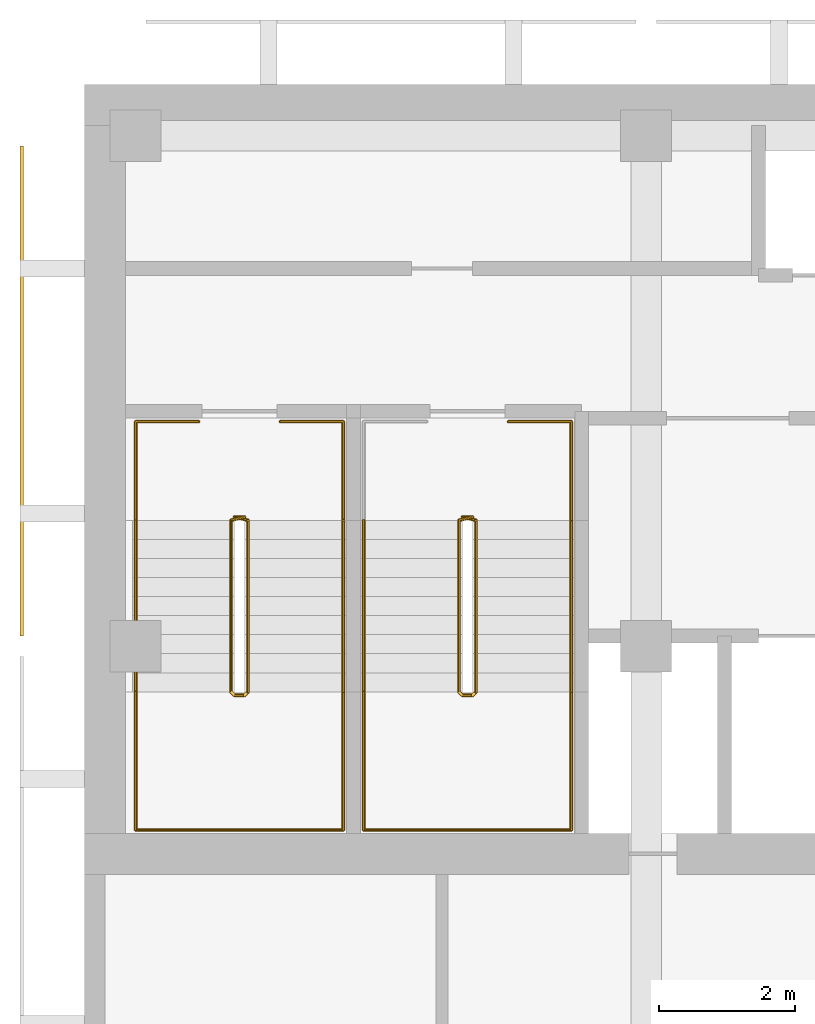
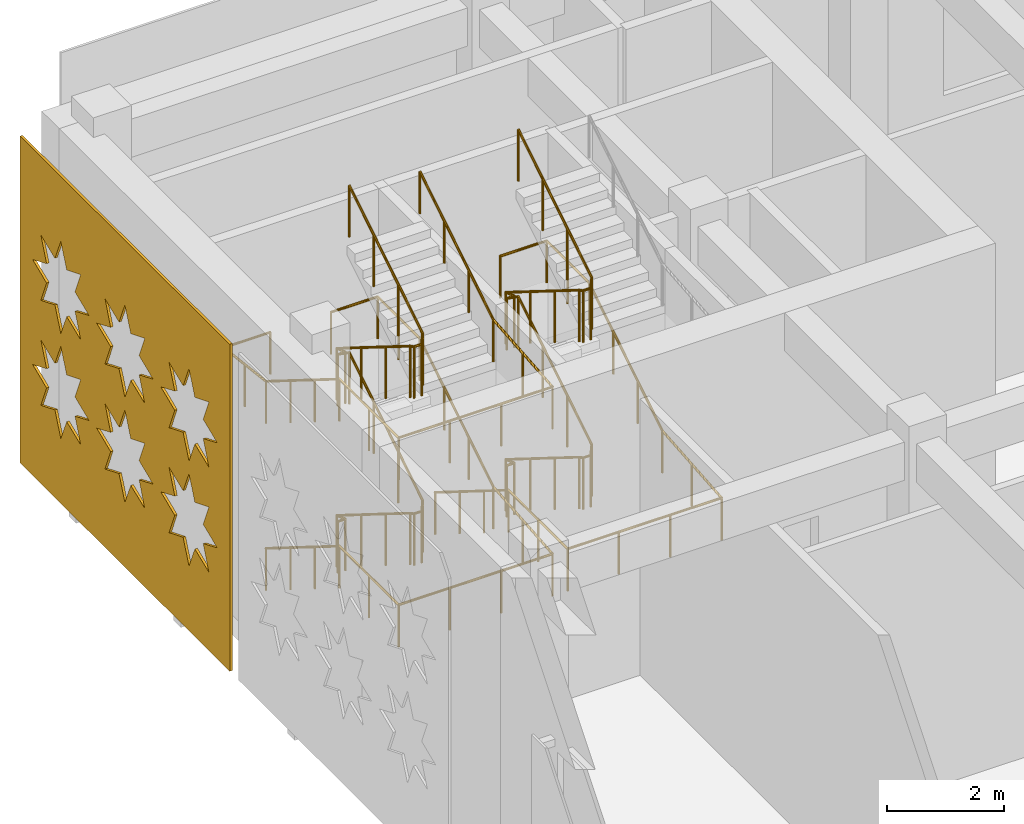
# One storey, part 37 of 42: 5 railings, 1 covering.
"""IFC4 building model written with IfcOpenShell, lengths in metres."""

from ifc_helpers import new_model, si_unit, direction, frame, origin, origin_2d, place, context, subcontext, project, spatial, polyline, circle, outline, extrude, material, layer, layer_set, type_object, element, save


model = new_model("IFC4")

# Units and contexts
model_context = context("Model", 3, precision=1e-05, world=origin(), true_north=direction((0.0, 1.0)))
body_context = subcontext(model_context, "Body", "Model", "MODEL_VIEW")
ifc_project = project(units=[si_unit("LENGTHUNIT", "METRE"), si_unit("AREAUNIT", "SQUARE_METRE"), si_unit("VOLUMEUNIT", "CUBIC_METRE"), si_unit("PLANEANGLEUNIT", "RADIAN"), si_unit("MASSUNIT", "GRAM", prefix="KILO")], contexts=[model_context])

# Site, building, storey
site_placement = place(None, origin())
site = spatial("IfcSite", under=ifc_project, at=site_placement, CompositionType="ELEMENT")
building_placement = place(site_placement, origin())
building = spatial("IfcBuilding", under=site, at=building_placement, Name="Tessera Arch", CompositionType="ELEMENT")
storey_placement = place(building_placement, frame((0.0, 0.0, 14.0)))
storey = spatial("IfcBuildingStorey", under=building, at=storey_placement, Name="L02", CompositionType="ELEMENT", Elevation=14.0)

# Covering
ifc_material_1 = material(Name="Anodised aluminium pale metal", Category="aluminium")
ifc_layer = layer(ifc_material_1, 0.050048828125)
ifc_layer_set = layer_set([ifc_layer], Name="Museum lattice skin panel")
covering_type = type_object("IfcCoveringType", Name="Museum lattice skin panel", PredefinedType="CLADDING", material=ifc_layer_set)
covering_placement = place(storey_placement, frame((-33.449951171875, 58.050048828125, 6.949951171875), z_axis=(1.0, 0.0, 0.0), x_axis=(0.0, -1.0, 0.0)))
element("IfcCovering", 1, at=covering_placement, inside=storey, type_object=covering_type, Name="Museum lattice skin L02 6-2", PredefinedType="CLADDING", context=body_context, shape_type="SweptSolid", body=[
    extrude(outline(polyline([(0.0, 0.0), (7.199951171875, 0.0), (7.199951171875, 6.849853515625), (0.0, 6.849853515625), (0.0, 0.0)]), holes=[polyline([(2.3681640625, 4.52490234375), (1.887939453125, 4.322998046875), (2.083984375, 3.841064453125), (1.60205078125, 4.036865234375), (1.400146484375, 3.556884765625), (1.197998046875, 4.036865234375), (0.716064453125, 3.841064453125), (0.912109375, 4.322998046875), (0.43212890625, 4.52490234375), (0.912109375, 4.72705078125), (0.716064453125, 5.208984375), (1.197998046875, 5.012939453125), (1.400146484375, 5.492919921875), (1.60205078125, 5.012939453125), (2.083984375, 5.208984375), (1.887939453125, 4.72705078125), (2.3681640625, 4.52490234375)]), polyline([(2.3681640625, 2.324951171875), (1.887939453125, 2.123046875), (2.083984375, 1.640869140625), (1.60205078125, 1.8369140625), (1.400146484375, 1.35693359375), (1.197998046875, 1.8369140625), (0.716064453125, 1.640869140625), (0.912109375, 2.123046875), (0.43212890625, 2.324951171875), (0.912109375, 2.52685546875), (0.716064453125, 3.009033203125), (1.197998046875, 2.81298828125), (1.400146484375, 3.29296875), (1.60205078125, 2.81298828125), (2.083984375, 3.009033203125), (1.887939453125, 2.52685546875), (2.3681640625, 2.324951171875)]), polyline([(4.568115234375, 4.52490234375), (4.088134765625, 4.322998046875), (4.283935546875, 3.841064453125), (3.802001953125, 4.036865234375), (3.60009765625, 3.556884765625), (3.39794921875, 4.036865234375), (2.916015625, 3.841064453125), (3.112060546875, 4.322998046875), (2.632080078125, 4.52490234375), (3.112060546875, 4.72705078125), (2.916015625, 5.208984375), (3.39794921875, 5.012939453125), (3.60009765625, 5.492919921875), (3.802001953125, 5.012939453125), (4.283935546875, 5.208984375), (4.088134765625, 4.72705078125), (4.568115234375, 4.52490234375)]), polyline([(4.568115234375, 2.324951171875), (4.088134765625, 2.123046875), (4.283935546875, 1.640869140625), (3.802001953125, 1.8369140625), (3.60009765625, 1.35693359375), (3.39794921875, 1.8369140625), (2.916015625, 1.640869140625), (3.112060546875, 2.123046875), (2.632080078125, 2.324951171875), (3.112060546875, 2.52685546875), (2.916015625, 3.009033203125), (3.39794921875, 2.81298828125), (3.60009765625, 3.29296875), (3.802001953125, 2.81298828125), (4.283935546875, 3.009033203125), (4.088134765625, 2.52685546875), (4.568115234375, 2.324951171875)]), polyline([(6.76806640625, 4.52490234375), (6.2880859375, 4.322998046875), (6.484130859375, 3.841064453125), (6.001953125, 4.036865234375), (5.800048828125, 3.556884765625), (5.59814453125, 4.036865234375), (5.115966796875, 3.841064453125), (5.31201171875, 4.322998046875), (4.83203125, 4.52490234375), (5.31201171875, 4.72705078125), (5.115966796875, 5.208984375), (5.59814453125, 5.012939453125), (5.800048828125, 5.492919921875), (6.001953125, 5.012939453125), (6.484130859375, 5.208984375), (6.2880859375, 4.72705078125), (6.76806640625, 4.52490234375)]), polyline([(6.76806640625, 2.324951171875), (6.2880859375, 2.123046875), (6.484130859375, 1.640869140625), (6.001953125, 1.8369140625), (5.800048828125, 1.35693359375), (5.59814453125, 1.8369140625), (5.115966796875, 1.640869140625), (5.31201171875, 2.123046875), (4.83203125, 2.324951171875), (5.31201171875, 2.52685546875), (5.115966796875, 3.009033203125), (5.59814453125, 2.81298828125), (5.800048828125, 3.29296875), (6.001953125, 2.81298828125), (6.484130859375, 3.009033203125), (6.2880859375, 2.52685546875), (6.76806640625, 2.324951171875)])]), origin(), (0.0, 0.0, -1.0), 0.050048828125),
])

# Railings
ifc_material_2 = material(Name="Painted steel balustrade", Category="steel")
railing_type_1 = type_object("IfcRailingType", Name="Stair guard 1100", PredefinedType="GUARDRAIL", material=ifc_material_2)
railing_1_placement = place(storey_placement, frame((-30.35009765625, 52.60009765625, 0.0)))
element("IfcRailing", 2, at=railing_1_placement, inside=storey, type_object=railing_type_1, Name="L02 M1a stair guard 1", PredefinedType="GUARDRAIL", context=body_context, shape_type="SweptSolid", body=[
    extrude(circle(Radius=0.02392578125, at=origin_2d()), frame((-0.00390625, 0.0, 1.076171875), z_axis=(1.0, 0.0, 0.0), x_axis=(0.0, 1.0, 0.0)), (0.0, 0.0, 1.0), 0.158203125),
    extrude(circle(Radius=0.02392578125, at=origin_2d()), frame((0.153076171875, 0.000732421875, 1.073486328125), z_axis=(-0.739407315901, -0.185077533284, 0.647319957877), x_axis=(0.242814311512, -0.970072785993, 0.0)), (0.0, 0.0, 1.0), 0.2783203125),
    extrude(circle(Radius=0.02392578125, at=origin_2d()), frame((-0.0498046875, -0.046630859375, 1.2490234375), z_axis=(0.0, -0.848007534815, 0.529984170421), x_axis=(1.0, 0.0, 0.0)), (0.0, 0.0, 1.0), 2.979736328125),
    extrude(circle(Radius=0.02392578125, at=origin_2d()), frame((-0.052734375, -2.567138671875, 2.826171875), z_axis=(0.705375805398, -0.708833529934, 0.0), x_axis=(0.708833529934, 0.705375805398, 0.0)), (0.0, 0.0, 1.0), 0.07861328125),
    extrude(circle(Radius=0.02392578125, at=origin_2d()), frame((-0.00390625, -2.6201171875, 2.826171875), z_axis=(1.0, 0.0, 0.0), x_axis=(0.0, 1.0, 0.0)), (0.0, 0.0, 1.0), 0.158203125),
    extrude(circle(Radius=0.02392578125, at=origin_2d()), frame((0.149169921875, -2.62109375, 2.822265625), z_axis=(0.265065253269, 0.265065253269, 0.927081885822), x_axis=(-0.707106781187, 0.707106781187, 0.0)), (0.0, 0.0, 1.0), 0.19677734375),
    extrude(circle(Radius=0.02392578125, at=origin_2d()), frame((0.2001953125, -2.573486328125, 2.9990234375), z_axis=(0.0, 0.848007534815, 0.529984170421), x_axis=(-1.0, 0.0, 0.0)), (0.0, 0.0, 1.0), 2.979736328125),
    extrude(circle(Radius=0.02392578125, at=origin_2d()), frame((0.2041015625, -0.051025390625, 4.576171875), z_axis=(-0.970142500145, 0.242535625036, 0.0), x_axis=(-0.242535625036, -0.970142500145, 0.0)), (0.0, 0.0, 1.0), 0.21435546875),
    extrude(circle(Radius=0.02392578125, at=origin_2d()), frame((-0.00390625, 0.0, 4.576171875), z_axis=(1.0, 0.0, 0.0), x_axis=(0.0, 1.0, 0.0)), (0.0, 0.0, 1.0), 0.158203125),
    extrude(circle(Radius=0.02392578125, at=origin_2d()), frame((0.153076171875, 0.000732421875, 4.573486328125), z_axis=(-0.739407315901, -0.185077533284, 0.647319957877), x_axis=(0.242814311512, -0.970072785993, 0.0)), (0.0, 0.0, 1.0), 0.2783203125),
    extrude(circle(Radius=0.02392578125, at=origin_2d()), frame((-0.0498046875, -0.046630859375, 4.7490234375), z_axis=(0.0, -0.848007534815, 0.529984170421), x_axis=(1.0, 0.0, 0.0)), (0.0, 0.0, 1.0), 2.979736328125),
    extrude(circle(Radius=0.02392578125, at=origin_2d()), frame((-0.052734375, -2.567138671875, 6.326171875), z_axis=(0.705375805398, -0.708833529934, 0.0), x_axis=(0.708833529934, 0.705375805398, 0.0)), (0.0, 0.0, 1.0), 0.07861328125),
    extrude(circle(Radius=0.02392578125, at=origin_2d()), frame((-0.00390625, -2.6201171875, 6.326171875), z_axis=(1.0, 0.0, 0.0), x_axis=(0.0, 1.0, 0.0)), (0.0, 0.0, 1.0), 0.158203125),
    extrude(circle(Radius=0.02392578125, at=origin_2d()), frame((0.149169921875, -2.62109375, 6.322265625), z_axis=(0.265065253269, 0.265065253269, 0.927081885822), x_axis=(-0.707106781187, 0.707106781187, 0.0)), (0.0, 0.0, 1.0), 0.19677734375),
    extrude(circle(Radius=0.02392578125, at=origin_2d()), frame((0.2001953125, -2.573486328125, 6.4990234375), z_axis=(0.0, 0.848007534815, 0.529984170421), x_axis=(-1.0, 0.0, 0.0)), (0.0, 0.0, 1.0), 2.979736328125),
    extrude(circle(Radius=0.02099609375, at=origin_2d()), origin(), (0.0, 0.0, 1.0), 1.06396484375),
    extrude(circle(Radius=0.02099609375, at=origin_2d()), frame((0.150146484375, 0.0, 0.0)), (0.0, 0.0, 1.0), 1.06396484375),
    extrude(circle(Radius=0.02099609375, at=origin_2d()), frame((-0.0498046875, -0.050048828125, 0.175048828125)), (0.0, 0.0, 1.0), 1.06396484375),
    extrude(circle(Radius=0.02099609375, at=origin_2d()), frame((-0.0498046875, -0.89013671875, 0.699951171875)), (0.0, 0.0, 1.0), 1.06396484375),
    extrude(circle(Radius=0.02099609375, at=origin_2d()), frame((-0.0498046875, -1.72998046875, 1.22509765625)), (0.0, 0.0, 1.0), 1.06396484375),
    extrude(circle(Radius=0.02099609375, at=origin_2d()), frame((-0.0498046875, -2.570068359375, 1.75)), (0.0, 0.0, 1.0), 1.06396484375),
    extrude(circle(Radius=0.02099609375, at=origin_2d()), frame((0.0, -2.6201171875, 1.75)), (0.0, 0.0, 1.0), 1.06396484375),
    extrude(circle(Radius=0.02099609375, at=origin_2d()), frame((0.150146484375, -2.6201171875, 1.75)), (0.0, 0.0, 1.0), 1.06396484375),
    extrude(circle(Radius=0.02099609375, at=origin_2d()), frame((0.2001953125, -2.570068359375, 1.925048828125)), (0.0, 0.0, 1.0), 1.06396484375),
    extrude(circle(Radius=0.02099609375, at=origin_2d()), frame((0.2001953125, -1.72998046875, 2.449951171875)), (0.0, 0.0, 1.0), 1.06396484375),
    extrude(circle(Radius=0.02099609375, at=origin_2d()), frame((0.2001953125, -0.89013671875, 2.97509765625)), (0.0, 0.0, 1.0), 1.06396484375),
    extrude(circle(Radius=0.02099609375, at=origin_2d()), frame((0.2001953125, -0.050048828125, 3.5)), (0.0, 0.0, 1.0), 1.06396484375),
    extrude(circle(Radius=0.02099609375, at=origin_2d()), frame((0.0, 0.0, 3.5)), (0.0, 0.0, 1.0), 1.06396484375),
    extrude(circle(Radius=0.02099609375, at=origin_2d()), frame((0.150146484375, 0.0, 3.5)), (0.0, 0.0, 1.0), 1.06396484375),
    extrude(circle(Radius=0.02099609375, at=origin_2d()), frame((-0.0498046875, -0.050048828125, 3.675048828125)), (0.0, 0.0, 1.0), 1.06396484375),
    extrude(circle(Radius=0.02099609375, at=origin_2d()), frame((-0.0498046875, -0.89013671875, 4.199951171875)), (0.0, 0.0, 1.0), 1.06396484375),
    extrude(circle(Radius=0.02099609375, at=origin_2d()), frame((-0.0498046875, -1.72998046875, 4.72509765625)), (0.0, 0.0, 1.0), 1.06396484375),
    extrude(circle(Radius=0.02099609375, at=origin_2d()), frame((-0.0498046875, -2.570068359375, 5.25)), (0.0, 0.0, 1.0), 1.06396484375),
    extrude(circle(Radius=0.02099609375, at=origin_2d()), frame((0.0, -2.6201171875, 5.25)), (0.0, 0.0, 1.0), 1.06396484375),
    extrude(circle(Radius=0.02099609375, at=origin_2d()), frame((0.150146484375, -2.6201171875, 5.25)), (0.0, 0.0, 1.0), 1.06396484375),
    extrude(circle(Radius=0.02099609375, at=origin_2d()), frame((0.2001953125, -2.570068359375, 5.425048828125)), (0.0, 0.0, 1.0), 1.06396484375),
    extrude(circle(Radius=0.02099609375, at=origin_2d()), frame((0.2001953125, -1.72998046875, 5.949951171875)), (0.0, 0.0, 1.0), 1.06396484375),
    extrude(circle(Radius=0.02099609375, at=origin_2d()), frame((0.2001953125, -0.89013671875, 6.47509765625)), (0.0, 0.0, 1.0), 1.06396484375),
    extrude(circle(Radius=0.02099609375, at=origin_2d()), frame((0.2001953125, -0.050048828125, 7.0)), (0.0, 0.0, 1.0), 1.06396484375),
])
railing_2_placement = place(storey_placement, frame((-27.0, 52.60009765625, 0.0)))
element("IfcRailing", 3, at=railing_2_placement, inside=storey, type_object=railing_type_1, Name="L02 M1b stair guard 1", PredefinedType="GUARDRAIL", context=body_context, shape_type="SweptSolid", body=[
    extrude(circle(Radius=0.02392578125, at=origin_2d()), frame((-0.00390625, 0.0, 1.076171875), z_axis=(1.0, 0.0, 0.0), x_axis=(0.0, 1.0, 0.0)), (0.0, 0.0, 1.0), 0.157958984375),
    extrude(circle(Radius=0.02392578125, at=origin_2d()), frame((0.15283203125, 0.000732421875, 1.073486328125), z_axis=(-0.739407315901, -0.185077533284, 0.647319957877), x_axis=(0.242814311512, -0.970072785993, 0.0)), (0.0, 0.0, 1.0), 0.2783203125),
    extrude(circle(Radius=0.02392578125, at=origin_2d()), frame((-0.050048828125, -0.046630859375, 1.2490234375), z_axis=(0.0, -0.848007534815, 0.529984170421), x_axis=(1.0, 0.0, 0.0)), (0.0, 0.0, 1.0), 2.979736328125),
    extrude(circle(Radius=0.02392578125, at=origin_2d()), frame((-0.052978515625, -2.567138671875, 2.826171875), z_axis=(0.707106781187, -0.707106781187, 0.0), x_axis=(0.707106781187, 0.707106781187, 0.0)), (0.0, 0.0, 1.0), 0.078857421875),
    extrude(circle(Radius=0.02392578125, at=origin_2d()), frame((-0.00390625, -2.6201171875, 2.826171875), z_axis=(1.0, 0.0, 0.0), x_axis=(0.0, 1.0, 0.0)), (0.0, 0.0, 1.0), 0.157958984375),
    extrude(circle(Radius=0.02392578125, at=origin_2d()), frame((0.14892578125, -2.62109375, 2.822265625), z_axis=(0.265065253269, 0.265065253269, 0.927081885822), x_axis=(-0.707106781187, 0.707106781187, 0.0)), (0.0, 0.0, 1.0), 0.19677734375),
    extrude(circle(Radius=0.02392578125, at=origin_2d()), frame((0.199951171875, -2.573486328125, 2.9990234375), z_axis=(0.0, 0.848007534815, 0.529984170421), x_axis=(-1.0, 0.0, 0.0)), (0.0, 0.0, 1.0), 2.979736328125),
    extrude(circle(Radius=0.02392578125, at=origin_2d()), frame((0.203857421875, -0.051025390625, 4.576171875), z_axis=(-0.970072785993, 0.242814311512, 0.0), x_axis=(-0.242814311512, -0.970072785993, 0.0)), (0.0, 0.0, 1.0), 0.214111328125),
    extrude(circle(Radius=0.02392578125, at=origin_2d()), frame((-0.00390625, 0.0, 4.576171875), z_axis=(1.0, 0.0, 0.0), x_axis=(0.0, 1.0, 0.0)), (0.0, 0.0, 1.0), 0.157958984375),
    extrude(circle(Radius=0.02392578125, at=origin_2d()), frame((0.15283203125, 0.000732421875, 4.573486328125), z_axis=(-0.739407315901, -0.185077533284, 0.647319957877), x_axis=(0.242814311512, -0.970072785993, 0.0)), (0.0, 0.0, 1.0), 0.2783203125),
    extrude(circle(Radius=0.02392578125, at=origin_2d()), frame((-0.050048828125, -0.046630859375, 4.7490234375), z_axis=(0.0, -0.848007534815, 0.529984170421), x_axis=(1.0, 0.0, 0.0)), (0.0, 0.0, 1.0), 2.979736328125),
    extrude(circle(Radius=0.02392578125, at=origin_2d()), frame((-0.052978515625, -2.567138671875, 6.326171875), z_axis=(0.707106781187, -0.707106781187, 0.0), x_axis=(0.707106781187, 0.707106781187, 0.0)), (0.0, 0.0, 1.0), 0.078857421875),
    extrude(circle(Radius=0.02392578125, at=origin_2d()), frame((-0.00390625, -2.6201171875, 6.326171875), z_axis=(1.0, 0.0, 0.0), x_axis=(0.0, 1.0, 0.0)), (0.0, 0.0, 1.0), 0.157958984375),
    extrude(circle(Radius=0.02392578125, at=origin_2d()), frame((0.14892578125, -2.62109375, 6.322265625), z_axis=(0.265065253269, 0.265065253269, 0.927081885822), x_axis=(-0.707106781187, 0.707106781187, 0.0)), (0.0, 0.0, 1.0), 0.19677734375),
    extrude(circle(Radius=0.02392578125, at=origin_2d()), frame((0.199951171875, -2.573486328125, 6.4990234375), z_axis=(0.0, 0.848007534815, 0.529984170421), x_axis=(-1.0, 0.0, 0.0)), (0.0, 0.0, 1.0), 2.979736328125),
    extrude(circle(Radius=0.02099609375, at=origin_2d()), origin(), (0.0, 0.0, 1.0), 1.06396484375),
    extrude(circle(Radius=0.02099609375, at=origin_2d()), frame((0.14990234375, 0.0, 0.0)), (0.0, 0.0, 1.0), 1.06396484375),
    extrude(circle(Radius=0.02099609375, at=origin_2d()), frame((-0.050048828125, -0.050048828125, 0.175048828125)), (0.0, 0.0, 1.0), 1.06396484375),
    extrude(circle(Radius=0.02099609375, at=origin_2d()), frame((-0.050048828125, -0.89013671875, 0.699951171875)), (0.0, 0.0, 1.0), 1.06396484375),
    extrude(circle(Radius=0.02099609375, at=origin_2d()), frame((-0.050048828125, -1.72998046875, 1.22509765625)), (0.0, 0.0, 1.0), 1.06396484375),
    extrude(circle(Radius=0.02099609375, at=origin_2d()), frame((-0.050048828125, -2.570068359375, 1.75)), (0.0, 0.0, 1.0), 1.06396484375),
    extrude(circle(Radius=0.02099609375, at=origin_2d()), frame((0.0, -2.6201171875, 1.75)), (0.0, 0.0, 1.0), 1.06396484375),
    extrude(circle(Radius=0.02099609375, at=origin_2d()), frame((0.14990234375, -2.6201171875, 1.75)), (0.0, 0.0, 1.0), 1.06396484375),
    extrude(circle(Radius=0.02099609375, at=origin_2d()), frame((0.199951171875, -2.570068359375, 1.925048828125)), (0.0, 0.0, 1.0), 1.06396484375),
    extrude(circle(Radius=0.02099609375, at=origin_2d()), frame((0.199951171875, -1.72998046875, 2.449951171875)), (0.0, 0.0, 1.0), 1.06396484375),
    extrude(circle(Radius=0.02099609375, at=origin_2d()), frame((0.199951171875, -0.89013671875, 2.97509765625)), (0.0, 0.0, 1.0), 1.06396484375),
    extrude(circle(Radius=0.02099609375, at=origin_2d()), frame((0.199951171875, -0.050048828125, 3.5)), (0.0, 0.0, 1.0), 1.06396484375),
    extrude(circle(Radius=0.02099609375, at=origin_2d()), frame((0.0, 0.0, 3.5)), (0.0, 0.0, 1.0), 1.06396484375),
    extrude(circle(Radius=0.02099609375, at=origin_2d()), frame((0.14990234375, 0.0, 3.5)), (0.0, 0.0, 1.0), 1.06396484375),
    extrude(circle(Radius=0.02099609375, at=origin_2d()), frame((-0.050048828125, -0.050048828125, 3.675048828125)), (0.0, 0.0, 1.0), 1.06396484375),
    extrude(circle(Radius=0.02099609375, at=origin_2d()), frame((-0.050048828125, -0.89013671875, 4.199951171875)), (0.0, 0.0, 1.0), 1.06396484375),
    extrude(circle(Radius=0.02099609375, at=origin_2d()), frame((-0.050048828125, -1.72998046875, 4.72509765625)), (0.0, 0.0, 1.0), 1.06396484375),
    extrude(circle(Radius=0.02099609375, at=origin_2d()), frame((-0.050048828125, -2.570068359375, 5.25)), (0.0, 0.0, 1.0), 1.06396484375),
    extrude(circle(Radius=0.02099609375, at=origin_2d()), frame((0.0, -2.6201171875, 5.25)), (0.0, 0.0, 1.0), 1.06396484375),
    extrude(circle(Radius=0.02099609375, at=origin_2d()), frame((0.14990234375, -2.6201171875, 5.25)), (0.0, 0.0, 1.0), 1.06396484375),
    extrude(circle(Radius=0.02099609375, at=origin_2d()), frame((0.199951171875, -2.570068359375, 5.425048828125)), (0.0, 0.0, 1.0), 1.06396484375),
    extrude(circle(Radius=0.02099609375, at=origin_2d()), frame((0.199951171875, -1.72998046875, 5.949951171875)), (0.0, 0.0, 1.0), 1.06396484375),
    extrude(circle(Radius=0.02099609375, at=origin_2d()), frame((0.199951171875, -0.89013671875, 6.47509765625)), (0.0, 0.0, 1.0), 1.06396484375),
    extrude(circle(Radius=0.02099609375, at=origin_2d()), frame((0.199951171875, -0.050048828125, 7.0)), (0.0, 0.0, 1.0), 1.06396484375),
])
ifc_material_3 = material(Name="Painted steel handrail", Category="steel")
railing_type_2 = type_object("IfcRailingType", Name="Stair handrail 900", PredefinedType="HANDRAIL", material=ifc_material_3)
railing_3_placement = place(storey_placement, frame((-31.800048828125, 52.550048828125, 0.175048828125)))
element("IfcRailing", 4, at=railing_3_placement, inside=storey, type_object=railing_type_2, Name="L02 M1a stair handrail", PredefinedType="HANDRAIL", context=body_context, shape_type="SweptSolid", body=[
    extrude(circle(Radius=0.02392578125, at=origin_2d()), frame((0.0, 0.00341796875, 0.873779296875), z_axis=(0.0, -0.848007534815, 0.529984170421), x_axis=(1.0, 0.0, 0.0)), (0.0, 0.0, 1.0), 2.979736328125),
    extrude(circle(Radius=0.02392578125, at=origin_2d()), frame((0.0, -2.51611328125, 2.45068359375), z_axis=(0.0, -1.0, 0.0), x_axis=(1.0, 0.0, 0.0)), (0.0, 0.0, 1.0), 2.0380859375),
    extrude(circle(Radius=0.02392578125, at=origin_2d()), frame((-0.00390625, -4.550048828125, 2.45068359375), z_axis=(1.0, 0.0, 0.0), x_axis=(0.0, 1.0, 0.0)), (0.0, 0.0, 1.0), 3.05810546875),
    extrude(circle(Radius=0.02392578125, at=origin_2d()), frame((3.050048828125, -4.553955078125, 2.450439453125), z_axis=(0.0, 0.996302824165, 0.085910898969), x_axis=(-1.0, 0.0, 0.0)), (0.0, 0.0, 1.0), 2.045654296875),
    extrude(circle(Radius=0.02392578125, at=origin_2d()), frame((3.050048828125, -2.5234375, 2.623779296875), z_axis=(0.0, 0.848007534815, 0.529984170421), x_axis=(-1.0, 0.0, 0.0)), (0.0, 0.0, 1.0), 2.979736328125),
    extrude(circle(Radius=0.02392578125, at=origin_2d()), frame((3.050048828125, -0.00390625, 4.20068359375), z_axis=(0.0, 1.0, 0.0), x_axis=(-1.0, 0.0, 0.0)), (0.0, 0.0, 1.0), 1.4580078125),
    extrude(circle(Radius=0.02392578125, at=origin_2d()), frame((3.053955078125, 1.449951171875, 4.20068359375), z_axis=(-1.0, 0.0, 0.0), x_axis=(0.0, -1.0, 0.0)), (0.0, 0.0, 1.0), 0.93310546875),
    extrude(circle(Radius=0.02099609375, at=origin_2d()), origin(), (0.0, 0.0, 1.0), 0.86376953125),
    extrude(circle(Radius=0.02099609375, at=origin_2d()), frame((0.0, -0.840087890625, 0.52490234375)), (0.0, 0.0, 1.0), 0.86376953125),
    extrude(circle(Radius=0.02099609375, at=origin_2d()), frame((0.0, -1.679931640625, 1.050048828125)), (0.0, 0.0, 1.0), 0.86376953125),
    extrude(circle(Radius=0.02099609375, at=origin_2d()), frame((0.0, -2.52001953125, 1.574951171875)), (0.0, 0.0, 1.0), 0.86376953125),
    extrude(circle(Radius=0.02099609375, at=origin_2d()), frame((0.0, -3.53515625, 1.574951171875)), (0.0, 0.0, 1.0), 0.86376953125),
    extrude(circle(Radius=0.02099609375, at=origin_2d()), frame((0.0, -4.550048828125, 1.574951171875)), (0.0, 0.0, 1.0), 0.86376953125),
    extrude(circle(Radius=0.02099609375, at=origin_2d()), frame((1.0166015625, -4.550048828125, 1.574951171875)), (0.0, 0.0, 1.0), 0.86376953125),
    extrude(circle(Radius=0.02099609375, at=origin_2d()), frame((2.033447265625, -4.550048828125, 1.574951171875)), (0.0, 0.0, 1.0), 0.86376953125),
    extrude(circle(Radius=0.02099609375, at=origin_2d()), frame((3.050048828125, -4.550048828125, 1.574951171875)), (0.0, 0.0, 1.0), 0.86376953125),
    extrude(circle(Radius=0.02099609375, at=origin_2d()), frame((3.050048828125, -3.53515625, 1.66259765625)), (0.0, 0.0, 1.0), 0.86376953125),
    extrude(circle(Radius=0.02099609375, at=origin_2d()), frame((3.050048828125, -2.52001953125, 1.75)), (0.0, 0.0, 1.0), 0.86376953125),
    extrude(circle(Radius=0.02099609375, at=origin_2d()), frame((3.050048828125, -1.679931640625, 2.27490234375)), (0.0, 0.0, 1.0), 0.86376953125),
    extrude(circle(Radius=0.02099609375, at=origin_2d()), frame((3.050048828125, -0.840087890625, 2.800048828125)), (0.0, 0.0, 1.0), 0.86376953125),
    extrude(circle(Radius=0.02099609375, at=origin_2d()), frame((3.050048828125, 0.0, 3.324951171875)), (0.0, 0.0, 1.0), 0.86376953125),
    extrude(circle(Radius=0.02099609375, at=origin_2d()), frame((3.050048828125, 0.72509765625, 3.324951171875)), (0.0, 0.0, 1.0), 0.86376953125),
    extrude(circle(Radius=0.02099609375, at=origin_2d()), frame((3.050048828125, 1.449951171875, 3.324951171875)), (0.0, 0.0, 1.0), 0.86376953125),
    extrude(circle(Radius=0.02099609375, at=origin_2d()), frame((2.125, 1.449951171875, 3.324951171875)), (0.0, 0.0, 1.0), 0.86376953125),
])
railing_4_placement = place(storey_placement, frame((-30.875, 54.0, 3.5)))
element("IfcRailing", 5, at=railing_4_placement, inside=storey, type_object=railing_type_2, Name="L02 M1a stair handrail 2", PredefinedType="HANDRAIL", context=body_context, shape_type="SweptSolid", body=[
    extrude(circle(Radius=0.02392578125, at=origin_2d()), frame((0.00390625, 0.0, 0.8759765625), z_axis=(-1.0, 0.0, 0.0), x_axis=(0.0, -1.0, 0.0)), (0.0, 0.0, 1.0), 0.93310546875),
    extrude(circle(Radius=0.02392578125, at=origin_2d()), frame((-0.925048828125, 0.00390625, 0.87548828125), z_axis=(0.0, -0.992791155251, 0.119857090136), x_axis=(1.0, 0.0, 0.0)), (0.0, 0.0, 1.0), 1.468505859375),
    extrude(circle(Radius=0.02392578125, at=origin_2d()), frame((-0.925048828125, -1.446533203125, 1.048828125), z_axis=(0.0, -0.848007534815, 0.529984170421), x_axis=(1.0, 0.0, 0.0)), (0.0, 0.0, 1.0), 2.979736328125),
    extrude(circle(Radius=0.02392578125, at=origin_2d()), frame((-0.925048828125, -3.966064453125, 2.6259765625), z_axis=(0.0, -1.0, 0.0), x_axis=(1.0, 0.0, 0.0)), (0.0, 0.0, 1.0), 2.0380859375),
    extrude(circle(Radius=0.02392578125, at=origin_2d()), frame((-0.928955078125, -6.0, 2.6259765625), z_axis=(1.0, 0.0, 0.0), x_axis=(0.0, 1.0, 0.0)), (0.0, 0.0, 1.0), 3.05810546875),
    extrude(circle(Radius=0.02392578125, at=origin_2d()), frame((2.125, -6.00390625, 2.62548828125), z_axis=(0.0, 0.996302824165, 0.085910898969), x_axis=(-1.0, 0.0, 0.0)), (0.0, 0.0, 1.0), 2.045654296875),
    extrude(circle(Radius=0.02392578125, at=origin_2d()), frame((2.125, -3.973388671875, 2.798828125), z_axis=(0.0, 0.848007534815, 0.529984170421), x_axis=(-1.0, 0.0, 0.0)), (0.0, 0.0, 1.0), 2.979736328125),
    extrude(circle(Radius=0.02099609375, at=origin_2d()), origin(), (0.0, 0.0, 1.0), 0.86376953125),
    extrude(circle(Radius=0.02099609375, at=origin_2d()), frame((-0.925048828125, 0.0, 0.0)), (0.0, 0.0, 1.0), 0.86376953125),
    extrude(circle(Radius=0.02099609375, at=origin_2d()), frame((-0.925048828125, -0.72509765625, 0.08740234375)), (0.0, 0.0, 1.0), 0.86376953125),
    extrude(circle(Radius=0.02099609375, at=origin_2d()), frame((-0.925048828125, -1.449951171875, 0.175048828125)), (0.0, 0.0, 1.0), 0.86376953125),
    extrude(circle(Radius=0.02099609375, at=origin_2d()), frame((-0.925048828125, -2.2900390625, 0.699951171875)), (0.0, 0.0, 1.0), 0.86376953125),
    extrude(circle(Radius=0.02099609375, at=origin_2d()), frame((-0.925048828125, -3.1298828125, 1.22509765625)), (0.0, 0.0, 1.0), 0.86376953125),
    extrude(circle(Radius=0.02099609375, at=origin_2d()), frame((-0.925048828125, -3.969970703125, 1.75)), (0.0, 0.0, 1.0), 0.86376953125),
    extrude(circle(Radius=0.02099609375, at=origin_2d()), frame((-0.925048828125, -4.98486328125, 1.75)), (0.0, 0.0, 1.0), 0.86376953125),
    extrude(circle(Radius=0.02099609375, at=origin_2d()), frame((-0.925048828125, -6.0, 1.75)), (0.0, 0.0, 1.0), 0.86376953125),
    extrude(circle(Radius=0.02099609375, at=origin_2d()), frame((0.091552734375, -6.0, 1.75)), (0.0, 0.0, 1.0), 0.86376953125),
    extrude(circle(Radius=0.02099609375, at=origin_2d()), frame((1.1083984375, -6.0, 1.75)), (0.0, 0.0, 1.0), 0.86376953125),
    extrude(circle(Radius=0.02099609375, at=origin_2d()), frame((2.125, -6.0, 1.75)), (0.0, 0.0, 1.0), 0.86376953125),
    extrude(circle(Radius=0.02099609375, at=origin_2d()), frame((2.125, -4.98486328125, 1.83740234375)), (0.0, 0.0, 1.0), 0.86376953125),
    extrude(circle(Radius=0.02099609375, at=origin_2d()), frame((2.125, -3.969970703125, 1.925048828125)), (0.0, 0.0, 1.0), 0.86376953125),
    extrude(circle(Radius=0.02099609375, at=origin_2d()), frame((2.125, -3.1298828125, 2.449951171875)), (0.0, 0.0, 1.0), 0.86376953125),
    extrude(circle(Radius=0.02099609375, at=origin_2d()), frame((2.125, -2.2900390625, 2.97509765625)), (0.0, 0.0, 1.0), 0.86376953125),
    extrude(circle(Radius=0.02099609375, at=origin_2d()), frame((2.125, -1.449951171875, 3.5)), (0.0, 0.0, 1.0), 0.86376953125),
])
railing_5_placement = place(storey_placement, frame((-28.449951171875, 52.550048828125, 0.175048828125)))
element("IfcRailing", 6, at=railing_5_placement, inside=storey, type_object=railing_type_2, Name="L02 M1b stair handrail", PredefinedType="HANDRAIL", context=body_context, shape_type="SweptSolid", body=[
    extrude(circle(Radius=0.02392578125, at=origin_2d()), frame((0.0, 0.00341796875, 0.873779296875), z_axis=(0.0, -0.848007534815, 0.529984170421), x_axis=(1.0, 0.0, 0.0)), (0.0, 0.0, 1.0), 2.979736328125),
    extrude(circle(Radius=0.02392578125, at=origin_2d()), frame((0.0, -2.51611328125, 2.45068359375), z_axis=(0.0, -1.0, 0.0), x_axis=(1.0, 0.0, 0.0)), (0.0, 0.0, 1.0), 2.0380859375),
    extrude(circle(Radius=0.02392578125, at=origin_2d()), frame((-0.00390625, -4.550048828125, 2.45068359375), z_axis=(1.0, 0.0, 0.0), x_axis=(0.0, 1.0, 0.0)), (0.0, 0.0, 1.0), 3.05810546875),
    extrude(circle(Radius=0.02392578125, at=origin_2d()), frame((3.050048828125, -4.553955078125, 2.450439453125), z_axis=(0.0, 0.996302824165, 0.085910898969), x_axis=(-1.0, 0.0, 0.0)), (0.0, 0.0, 1.0), 2.045654296875),
    extrude(circle(Radius=0.02392578125, at=origin_2d()), frame((3.050048828125, -2.5234375, 2.623779296875), z_axis=(0.0, 0.848007534815, 0.529984170421), x_axis=(-1.0, 0.0, 0.0)), (0.0, 0.0, 1.0), 2.979736328125),
    extrude(circle(Radius=0.02392578125, at=origin_2d()), frame((3.050048828125, -0.00390625, 4.20068359375), z_axis=(0.0, 1.0, 0.0), x_axis=(-1.0, 0.0, 0.0)), (0.0, 0.0, 1.0), 1.4580078125),
    extrude(circle(Radius=0.02392578125, at=origin_2d()), frame((3.053955078125, 1.449951171875, 4.20068359375), z_axis=(-1.0, 0.0, 0.0), x_axis=(0.0, -1.0, 0.0)), (0.0, 0.0, 1.0), 0.93310546875),
    extrude(circle(Radius=0.02099609375, at=origin_2d()), origin(), (0.0, 0.0, 1.0), 0.86376953125),
    extrude(circle(Radius=0.02099609375, at=origin_2d()), frame((0.0, -0.840087890625, 0.52490234375)), (0.0, 0.0, 1.0), 0.86376953125),
    extrude(circle(Radius=0.02099609375, at=origin_2d()), frame((0.0, -1.679931640625, 1.050048828125)), (0.0, 0.0, 1.0), 0.86376953125),
    extrude(circle(Radius=0.02099609375, at=origin_2d()), frame((0.0, -2.52001953125, 1.574951171875)), (0.0, 0.0, 1.0), 0.86376953125),
    extrude(circle(Radius=0.02099609375, at=origin_2d()), frame((0.0, -3.53515625, 1.574951171875)), (0.0, 0.0, 1.0), 0.86376953125),
    extrude(circle(Radius=0.02099609375, at=origin_2d()), frame((0.0, -4.550048828125, 1.574951171875)), (0.0, 0.0, 1.0), 0.86376953125),
    extrude(circle(Radius=0.02099609375, at=origin_2d()), frame((1.0166015625, -4.550048828125, 1.574951171875)), (0.0, 0.0, 1.0), 0.86376953125),
    extrude(circle(Radius=0.02099609375, at=origin_2d()), frame((2.033447265625, -4.550048828125, 1.574951171875)), (0.0, 0.0, 1.0), 0.86376953125),
    extrude(circle(Radius=0.02099609375, at=origin_2d()), frame((3.050048828125, -4.550048828125, 1.574951171875)), (0.0, 0.0, 1.0), 0.86376953125),
    extrude(circle(Radius=0.02099609375, at=origin_2d()), frame((3.050048828125, -3.53515625, 1.66259765625)), (0.0, 0.0, 1.0), 0.86376953125),
    extrude(circle(Radius=0.02099609375, at=origin_2d()), frame((3.050048828125, -2.52001953125, 1.75)), (0.0, 0.0, 1.0), 0.86376953125),
    extrude(circle(Radius=0.02099609375, at=origin_2d()), frame((3.050048828125, -1.679931640625, 2.27490234375)), (0.0, 0.0, 1.0), 0.86376953125),
    extrude(circle(Radius=0.02099609375, at=origin_2d()), frame((3.050048828125, -0.840087890625, 2.800048828125)), (0.0, 0.0, 1.0), 0.86376953125),
    extrude(circle(Radius=0.02099609375, at=origin_2d()), frame((3.050048828125, 0.0, 3.324951171875)), (0.0, 0.0, 1.0), 0.86376953125),
    extrude(circle(Radius=0.02099609375, at=origin_2d()), frame((3.050048828125, 0.72509765625, 3.324951171875)), (0.0, 0.0, 1.0), 0.86376953125),
    extrude(circle(Radius=0.02099609375, at=origin_2d()), frame((3.050048828125, 1.449951171875, 3.324951171875)), (0.0, 0.0, 1.0), 0.86376953125),
    extrude(circle(Radius=0.02099609375, at=origin_2d()), frame((2.125, 1.449951171875, 3.324951171875)), (0.0, 0.0, 1.0), 0.86376953125),
])

save(model, "model.ifc")
